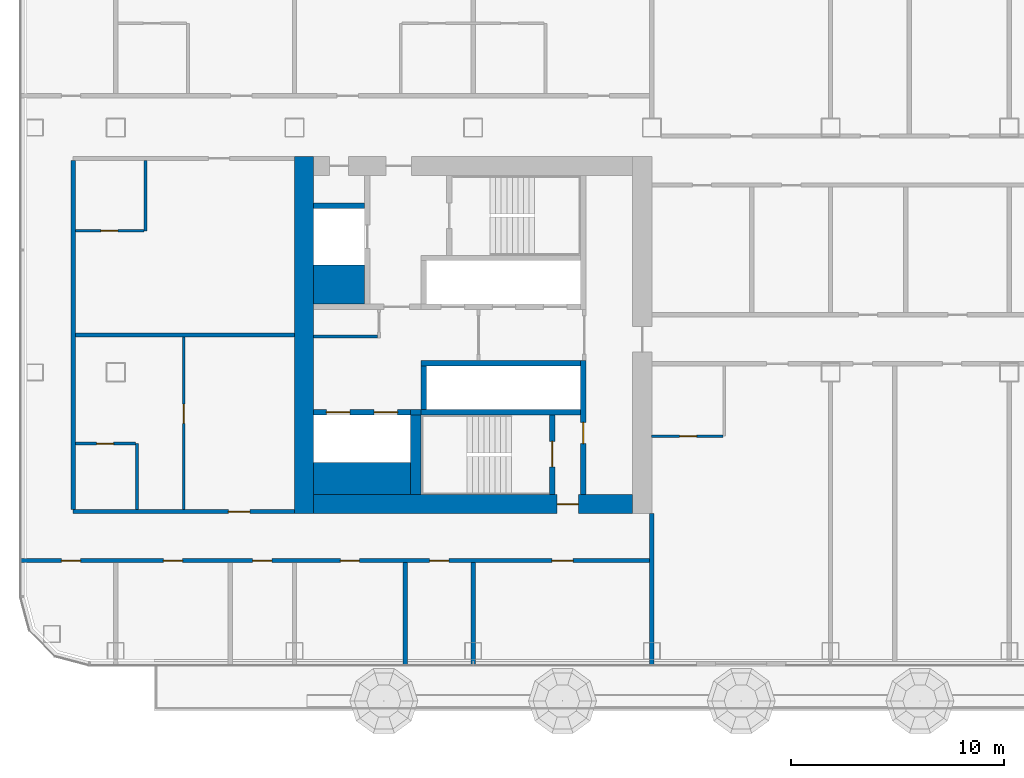
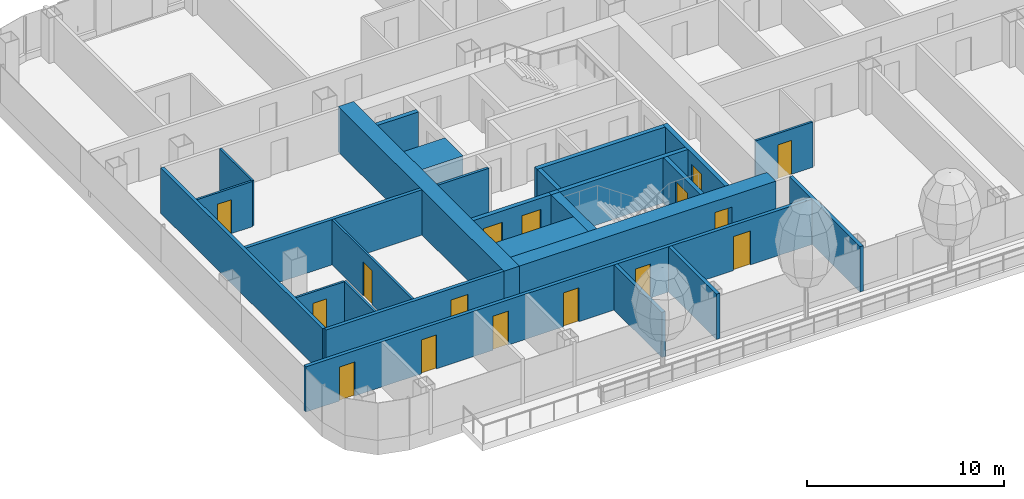
# One storey, part 13 of 34: 27 walls, 16 doors, 16 openings.
"""IFC4 building model written with IfcOpenShell, lengths in metres."""

from ifc_helpers import new_model, si_unit, direction, frame, frame_2d, origin, place, context, subcontext, project, spatial, rectangle, extrude, material, layer, layer_set, type_object, element, fill, save


model = new_model("IFC4")

# Units and contexts
model_context = context("Model", 3, precision=1e-05, world=origin(), true_north=direction((0.0, 1.0)))
body_context = subcontext(model_context, "Body", "Model", "MODEL_VIEW")
ifc_project = project(units=[si_unit("LENGTHUNIT", "METRE"), si_unit("AREAUNIT", "SQUARE_METRE"), si_unit("VOLUMEUNIT", "CUBIC_METRE"), si_unit("PLANEANGLEUNIT", "RADIAN"), si_unit("MASSUNIT", "GRAM", prefix="KILO")], contexts=[model_context])

# Site, building, storey
site_placement = place(None, origin())
site = spatial("IfcSite", under=ifc_project, at=site_placement, CompositionType="ELEMENT")
building_placement = place(site_placement, origin())
building = spatial("IfcBuilding", under=site, at=building_placement, Name="Hakoniwa Tower and Hamabe Station Hall", CompositionType="ELEMENT")
storey_placement = place(building_placement, frame((0.0, 0.0, 107.39990234375)))
storey = spatial("IfcBuildingStorey", under=building, at=storey_placement, Name="L30", CompositionType="ELEMENT", Elevation=107.39990234375)

# Wall, opening, door
ifc_material_1 = material(Name="Gypsum board partition", Category="gypsum")
ifc_layer_1 = layer(ifc_material_1, 0.125)
ifc_layer_set_1 = layer_set([ifc_layer_1], Name="Bathroom Partition 125")
wall_type_1 = type_object("IfcWallType", Name="Bathroom Partition 125", PredefinedType="PARTITIONING", material=ifc_layer_set_1)
wall_1_placement = place(storey_placement, frame((-43.89990234375, -5.10009765625, 0.0), z_axis=(0.0, 0.0, 1.0), x_axis=(1.0, 0.0, 0.0)))
wall_1 = element("IfcWall", 1, at=wall_1_placement, inside=storey, type_object=wall_type_1, Name="GW-L30-005", PredefinedType="PARTITIONING", context=body_context, shape_type="SweptSolid", body=[
    extrude(rectangle(XDim=2.83740234375, YDim=0.125, at=frame_2d((1.418701171875, 0.0))), origin(), (0.0, 0.0, 1.0), 2.800048828125),
])
opening_1_placement = place(wall_1_placement, frame((1.0, 0.0, 0.0)))
opening_1 = element("IfcOpeningElement", 2, at=opening_1_placement, cuts=wall_1, Name="Opening GD-G2A2-15", PredefinedType="OPENING", context=body_context, shape_type="SweptSolid", body=[
    extrude(rectangle(XDim=0.800048828125, YDim=2.10009765625, at=frame_2d((0.39990234375, 1.050048828125))), frame((0.0, 0.072509765625, 0.0), z_axis=(0.0, -1.0, 0.0), x_axis=(1.0, 0.0, 0.0)), (0.0, 0.0, 1.0), 0.14501953125),
])
ifc_material_2 = material(Name="Timber door leaf", Category="wood")
door_type_1 = type_object("IfcDoorType", Name="Bathroom Door 800", OperationType="SINGLE_SWING_LEFT", PredefinedType="DOOR", material=ifc_material_2)
door_1_placement = place(opening_1_placement, origin())
door_1 = element("IfcDoor", 3, at=door_1_placement, inside=storey, type_object=door_type_1, Name="Door GD-G2A2-15", OperationType="SINGLE_SWING_RIGHT", OverallHeight=2.10009765625, OverallWidth=0.800048828125, PredefinedType="DOOR", context=body_context, shape_type="SweptSolid", body=[
    extrude(rectangle(XDim=0.800048828125, YDim=2.10009765625, at=frame_2d((0.39990234375, 1.050048828125))), frame((0.0, 0.02490234375, 0.0), z_axis=(0.0, -1.0, 0.0), x_axis=(1.0, 0.0, 0.0)), (0.0, 0.0, 1.0), 0.050048828125),
])
fill(opening_1, door_1)

wall_2_placement = place(storey_placement, frame((-16.81005859375, -4.75, 0.0), z_axis=(0.0, 0.0, 1.0), x_axis=(1.0, 0.0, 0.0)))
wall_2 = element("IfcWall", 4, at=wall_2_placement, inside=storey, type_object=wall_type_1, Name="GW-L30-007", PredefinedType="PARTITIONING", context=body_context, shape_type="SweptSolid", body=[
    extrude(rectangle(XDim=3.34765625, YDim=0.125, at=frame_2d((1.673828125, 0.0))), origin(), (0.0, 0.0, 1.0), 2.800048828125),
])
opening_2_placement = place(wall_2_placement, frame((1.31005859375, 0.0, 0.0)))
opening_2 = element("IfcOpeningElement", 5, at=opening_2_placement, cuts=wall_2, Name="Opening GD-G2A2-17", PredefinedType="OPENING", context=body_context, shape_type="SweptSolid", body=[
    extrude(rectangle(XDim=0.800048828125, YDim=2.10009765625, at=frame_2d((0.39990234375, 1.050048828125))), frame((0.0, 0.072509765625, 0.0), z_axis=(0.0, -1.0, 0.0), x_axis=(1.0, 0.0, 0.0)), (0.0, 0.0, 1.0), 0.14501953125),
])
door_2_placement = place(opening_2_placement, origin())
door_2 = element("IfcDoor", 6, at=door_2_placement, inside=storey, type_object=door_type_1, Name="Door GD-G2A2-17", OperationType="SINGLE_SWING_LEFT", OverallHeight=2.10009765625, OverallWidth=0.800048828125, PredefinedType="DOOR", context=body_context, shape_type="SweptSolid", body=[
    extrude(rectangle(XDim=0.800048828125, YDim=2.10009765625, at=frame_2d((0.39990234375, 1.050048828125))), frame((0.0, 0.02490234375, 0.0), z_axis=(0.0, -1.0, 0.0), x_axis=(1.0, 0.0, 0.0)), (0.0, 0.0, 1.0), 0.050048828125),
])
fill(opening_2, door_2)

wall_3_placement = place(storey_placement, frame((-43.89990234375, 4.89990234375, 0.0), z_axis=(0.0, 0.0, 1.0), x_axis=(1.0, 0.0, 0.0)))
wall_3 = element("IfcWall", 7, at=wall_3_placement, inside=storey, type_object=wall_type_1, Name="GW-L30-013", PredefinedType="PARTITIONING", context=body_context, shape_type="SweptSolid", body=[
    extrude(rectangle(XDim=3.2373046875, YDim=0.125, at=frame_2d((1.61865234375, 0.0))), origin(), (0.0, 0.0, 1.0), 2.800048828125),
])
opening_3_placement = place(wall_3_placement, frame((1.199951171875, 0.0, 0.0)))
opening_3 = element("IfcOpeningElement", 8, at=opening_3_placement, cuts=wall_3, Name="Opening GD-G2A2-29", PredefinedType="OPENING", context=body_context, shape_type="SweptSolid", body=[
    extrude(rectangle(XDim=0.800048828125, YDim=2.10009765625, at=frame_2d((0.39990234375, 1.050048828125))), frame((0.0, 0.072509765625, 0.0), z_axis=(0.0, -1.0, 0.0), x_axis=(1.0, 0.0, 0.0)), (0.0, 0.0, 1.0), 0.14501953125),
])
door_3_placement = place(opening_3_placement, origin())
door_3 = element("IfcDoor", 9, at=door_3_placement, inside=storey, type_object=door_type_1, Name="Door GD-G2A2-29", OperationType="SINGLE_SWING_RIGHT", OverallHeight=2.10009765625, OverallWidth=0.800048828125, PredefinedType="DOOR", context=body_context, shape_type="SweptSolid", body=[
    extrude(rectangle(XDim=0.800048828125, YDim=2.10009765625, at=frame_2d((0.39990234375, 1.050048828125))), frame((0.0, 0.02490234375, 0.0), z_axis=(0.0, -1.0, 0.0), x_axis=(1.0, 0.0, 0.0)), (0.0, 0.0, 1.0), 0.050048828125),
])
fill(opening_3, door_3)

# Walls
wall_4_placement = place(storey_placement, frame((-41.0, -8.199951171875, 0.0), z_axis=(0.0, 0.0, 1.0), x_axis=(0.0, 1.0, 0.0)))
element("IfcWall", 10, at=wall_4_placement, inside=storey, type_object=wall_type_1, Name="GW-L30-028", PredefinedType="PARTITIONING", context=body_context, shape_type="SweptSolid", body=[
    extrude(rectangle(XDim=3.099853515625, YDim=0.125, at=frame_2d((1.5498046875, 0.0))), origin(), (0.0, 0.0, 1.0), 2.800048828125),
])
wall_5_placement = place(storey_placement, frame((-40.60009765625, 4.89990234375, 0.0), z_axis=(0.0, 0.0, 1.0), x_axis=(0.0, 1.0, 0.0)))
element("IfcWall", 11, at=wall_5_placement, inside=storey, type_object=wall_type_1, Name="GW-L30-029", PredefinedType="PARTITIONING", context=body_context, shape_type="SweptSolid", body=[
    extrude(rectangle(XDim=3.300048828125, YDim=0.125, at=frame_2d((1.64990234375, 0.0))), origin(), (0.0, 0.0, 1.0), 2.800048828125),
])
ifc_material_3 = material(Name="Gypsum board partition")
ifc_layer_2 = layer(ifc_material_3, 0.14990234375)
ifc_layer_set_2 = layer_set([ifc_layer_2], Name="CORE PARTITION 150 EI 60")
wall_type_2 = type_object("IfcWallType", Name="CORE PARTITION 150 EI 60", PredefinedType="PARTITIONING", material=ifc_layer_set_2)
wall_6_placement = place(storey_placement, frame((-32.699951171875, -0.074951171875, 0.0), z_axis=(0.0, 0.0, 1.0), x_axis=(1.0, 0.0, 0.0)))
element("IfcWall", 12, at=wall_6_placement, inside=storey, type_object=wall_type_2, Name="Core partition PS west", PredefinedType="PARTITIONING", context=body_context, shape_type="SweptSolid", body=[
    extrude(rectangle(XDim=3.0, YDim=0.14990234375, at=frame_2d((1.5, 0.0))), origin(), (0.0, 0.0, 1.0), 2.800048828125),
])
ifc_material_4 = material(Name="Concrete C72", Category="concrete")
ifc_layer_3 = layer(ifc_material_4, 0.89990234375)
ifc_layer_set_3 = layer_set([ifc_layer_3], Name="CORE WALL 900 C72")
wall_type_3 = type_object("IfcWallType", Name="CORE WALL 900 C72", PredefinedType="SHEAR", material=ifc_layer_set_3)
wall_7_placement = place(storey_placement, frame((-33.14990234375, -8.39990234375, 0.0), z_axis=(0.0, 0.0, 1.0), x_axis=(0.0, 1.0, 0.0)))
element("IfcWall", 13, at=wall_7_placement, inside=storey, type_object=wall_type_3, Name="Core wall OUTER west", PredefinedType="SHEAR", context=body_context, shape_type="SweptSolid", body=[
    extrude(rectangle(XDim=16.7998046875, YDim=0.89990234375, at=frame_2d((8.39990234375, 0.0))), origin(), (0.0, 0.0, 1.0), 2.800048828125),
])

# Wall, opening, door
wall_8_placement = place(storey_placement, frame((-32.699951171875, -7.949951171875, 0.0), z_axis=(0.0, 0.0, 1.0), x_axis=(1.0, 0.0, 0.0)))
wall_8 = element("IfcWall", 14, at=wall_8_placement, inside=storey, type_object=wall_type_3, Name="Core wall SOUTH west", PredefinedType="SHEAR", context=body_context, shape_type="SweptSolid", body=[
    extrude(rectangle(XDim=15.0, YDim=0.89990234375, at=frame_2d((7.5, 0.0))), origin(), (0.0, 0.0, 1.0), 2.800048828125),
])
opening_4_placement = place(wall_8_placement, frame((11.449951171875, 0.0, 0.0)))
opening_4 = element("IfcOpeningElement", 15, at=opening_4_placement, cuts=wall_8, Name="Opening CD-W-FS3-10", PredefinedType="OPENING", context=body_context, shape_type="SweptSolid", body=[
    extrude(rectangle(XDim=1.0, YDim=2.10009765625, at=frame_2d((0.5, 1.050048828125))), frame((0.0, 0.4599609375, 0.0), z_axis=(0.0, -1.0, 0.0), x_axis=(1.0, 0.0, 0.0)), (0.0, 0.0, 1.0), 0.919921875),
])
ifc_material_5 = material(Name="Steel fire door", Category="steel")
door_type_2 = type_object("IfcDoorType", Name="CORE DOOR 1000 FD60", OperationType="NOTDEFINED", PredefinedType="DOOR", material=ifc_material_5)
door_4_placement = place(opening_4_placement, origin())
door_4 = element("IfcDoor", 16, at=door_4_placement, inside=storey, type_object=door_type_2, Name="Stair vestibule door", OperationType="SINGLE_SWING_LEFT", OverallHeight=2.10009765625, OverallWidth=1.0, PredefinedType="DOOR", context=body_context, shape_type="SweptSolid", body=[
    extrude(rectangle(XDim=1.0, YDim=2.10009765625, at=frame_2d((0.5, 1.050048828125))), frame((0.0, 0.02490234375, 0.0), z_axis=(0.0, -1.0, 0.0), x_axis=(1.0, 0.0, 0.0)), (0.0, 0.0, 1.0), 0.050048828125),
])
fill(opening_4, door_4)

# Walls
ifc_material_6 = material(Name="Concrete C72", Category="concrete")
ifc_layer_4 = layer(ifc_material_6, 1.5)
ifc_layer_set_4 = layer_set([ifc_layer_4], Name="CORE WEB WALL 1500 C72")
wall_type_4 = type_object("IfcWallType", Name="CORE WEB WALL 1500 C72", PredefinedType="SHEAR", material=ifc_layer_set_4)
wall_9_placement = place(storey_placement, frame((-32.699951171875, -6.75, 0.0), z_axis=(0.0, 0.0, 1.0), x_axis=(1.0, 0.0, 0.0)))
element("IfcWall", 17, at=wall_9_placement, inside=storey, type_object=wall_type_4, Name="Core wall SER west", PredefinedType="SHEAR", context=body_context, shape_type="SweptSolid", body=[
    extrude(rectangle(XDim=4.550048828125, YDim=1.5, at=frame_2d((2.27490234375, 0.0))), origin(), (0.0, 0.0, 1.0), 2.800048828125),
])
ifc_material_7 = material(Name="Concrete C72", Category="concrete")
ifc_layer_5 = layer(ifc_material_7, 1.85009765625)
ifc_layer_set_5 = layer_set([ifc_layer_5], Name="CORE WEB WALL 1850 C72")
wall_type_5 = type_object("IfcWallType", Name="CORE WEB WALL 1850 C72", PredefinedType="SHEAR", material=ifc_layer_set_5)
wall_10_placement = place(storey_placement, frame((-32.699951171875, 2.375, 0.0), z_axis=(0.0, 0.0, 1.0), x_axis=(1.0, 0.0, 0.0)))
element("IfcWall", 18, at=wall_10_placement, inside=storey, type_object=wall_type_5, Name="Core wall CA west", PredefinedType="SHEAR", context=body_context, shape_type="SweptSolid", body=[
    extrude(rectangle(XDim=2.39990234375, YDim=1.85009765625, at=frame_2d((1.199951171875, 0.0))), origin(), (0.0, 0.0, 1.0), 2.800048828125),
])

# Wall, opening, door
ifc_material_8 = material(Name="Concrete C72", Category="concrete")
ifc_layer_6 = layer(ifc_material_8, 0.25)
ifc_layer_set_6 = layer_set([ifc_layer_6], Name="CORE WEB WALL 250 C72")
wall_type_6 = type_object("IfcWallType", Name="CORE WEB WALL 250 C72", PredefinedType="SHEAR", material=ifc_layer_set_6)
wall_11_placement = place(storey_placement, frame((-20.02490234375, -7.5, 0.0), z_axis=(0.0, 0.0, 1.0), x_axis=(0.0, 1.0, 0.0)))
wall_11 = element("IfcWall", 19, at=wall_11_placement, inside=storey, type_object=wall_type_6, Name="Core wall W1S west", PredefinedType="SHEAR", context=body_context, shape_type="SweptSolid", body=[
    extrude(rectangle(XDim=6.300048828125, YDim=0.25, at=frame_2d((3.14990234375, 0.0))), origin(), (0.0, 0.0, 1.0), 2.800048828125),
])
opening_5_placement = place(wall_11_placement, frame((2.39990234375, 0.0, 0.0)))
opening_5 = element("IfcOpeningElement", 20, at=opening_5_placement, cuts=wall_11, Name="Opening CD-W-VS-10", PredefinedType="OPENING", context=body_context, shape_type="SweptSolid", body=[
    extrude(rectangle(XDim=1.0, YDim=2.10009765625, at=frame_2d((0.5, 1.050048828125))), frame((0.0, 0.135009765625, 0.0), z_axis=(0.0, -1.0, 0.0), x_axis=(1.0, 0.0, 0.0)), (0.0, 0.0, 1.0), 0.27001953125),
])
door_5_placement = place(opening_5_placement, origin())
door_5 = element("IfcDoor", 21, at=door_5_placement, inside=storey, type_object=door_type_2, Name="Stair vestibule door", OperationType="SINGLE_SWING_LEFT", OverallHeight=2.10009765625, OverallWidth=1.0, PredefinedType="DOOR", context=body_context, shape_type="SweptSolid", body=[
    extrude(rectangle(XDim=1.0, YDim=2.10009765625, at=frame_2d((0.5, 1.050048828125))), frame((0.0, 0.02490234375, 0.0), z_axis=(0.0, -1.0, 0.0), x_axis=(1.0, 0.0, 0.0)), (0.0, 0.0, 1.0), 0.050048828125),
])
fill(opening_5, door_5)

# Walls
wall_12_placement = place(storey_placement, frame((-32.699951171875, 6.074951171875, 0.0), z_axis=(0.0, 0.0, 1.0), x_axis=(1.0, 0.0, 0.0)))
element("IfcWall", 22, at=wall_12_placement, inside=storey, type_object=wall_type_6, Name="Core wall C2 west", PredefinedType="SHEAR", context=body_context, shape_type="SweptSolid", body=[
    extrude(rectangle(XDim=2.39990234375, YDim=0.25, at=frame_2d((1.199951171875, 0.0))), origin(), (0.0, 0.0, 1.0), 2.800048828125),
])
wall_13_placement = place(storey_placement, frame((-27.64990234375, -1.324951171875, 0.0), z_axis=(0.0, 0.0, 1.0), x_axis=(1.0, 0.0, 0.0)))
element("IfcWall", 23, at=wall_13_placement, inside=storey, type_object=wall_type_6, Name="Core wall SF west", PredefinedType="SHEAR", context=body_context, shape_type="SweptSolid", body=[
    extrude(rectangle(XDim=7.5, YDim=0.25, at=frame_2d((3.75, 0.0))), origin(), (0.0, 0.0, 1.0), 2.800048828125),
])
wall_14_placement = place(storey_placement, frame((-27.52490234375, -3.5, 0.0), z_axis=(0.0, 0.0, 1.0), x_axis=(0.0, 1.0, 0.0)))
element("IfcWall", 24, at=wall_14_placement, inside=storey, type_object=wall_type_6, Name="Core wall SE west", PredefinedType="SHEAR", context=body_context, shape_type="SweptSolid", body=[
    extrude(rectangle(XDim=2.050048828125, YDim=0.25, at=frame_2d((1.02490234375, 0.0))), origin(), (0.0, 0.0, 1.0), 2.800048828125),
])
wall_15_placement = place(storey_placement, frame((-27.64990234375, -3.625, 0.0), z_axis=(0.0, 0.0, 1.0), x_axis=(1.0, 0.0, 0.0)))
element("IfcWall", 25, at=wall_15_placement, inside=storey, type_object=wall_type_6, Name="Core wall SR west", PredefinedType="SHEAR", context=body_context, shape_type="SweptSolid", body=[
    extrude(rectangle(XDim=7.5, YDim=0.25, at=frame_2d((3.75, 0.0))), origin(), (0.0, 0.0, 1.0), 2.800048828125),
])

# Wall, opening, door
wall_16_placement = place(storey_placement, frame((-21.47509765625, -7.5, 0.0), z_axis=(0.0, 0.0, 1.0), x_axis=(0.0, 1.0, 0.0)))
wall_16 = element("IfcWall", 26, at=wall_16_placement, inside=storey, type_object=wall_type_6, Name="Core wall VE west", PredefinedType="SHEAR", context=body_context, shape_type="SweptSolid", body=[
    extrude(rectangle(XDim=3.75, YDim=0.25, at=frame_2d((1.875, 0.0))), origin(), (0.0, 0.0, 1.0), 2.800048828125),
])
opening_6_placement = place(wall_16_placement, frame((1.300048828125, 0.0, 0.0)))
opening_6 = element("IfcOpeningElement", 27, at=opening_6_placement, cuts=wall_16, Name="Opening CD-W-SS-12", PredefinedType="OPENING", context=body_context, shape_type="SweptSolid", body=[
    extrude(rectangle(XDim=1.199951171875, YDim=2.10009765625, at=frame_2d((0.60009765625, 1.050048828125))), frame((0.0, 0.135009765625, 0.0), z_axis=(0.0, -1.0, 0.0), x_axis=(1.0, 0.0, 0.0)), (0.0, 0.0, 1.0), 0.27001953125),
])
ifc_material_9 = material(Name="Steel fire door", Category="steel")
door_type_3 = type_object("IfcDoorType", Name="CORE DOOR 1200 FD60", OperationType="DOUBLE_DOOR_SINGLE_SWING", PredefinedType="DOOR", material=ifc_material_9)
door_6_placement = place(opening_6_placement, origin())
door_6 = element("IfcDoor", 28, at=door_6_placement, inside=storey, type_object=door_type_3, Name="Escape stair door", OperationType="DOUBLE_DOOR_SINGLE_SWING", OverallHeight=2.10009765625, OverallWidth=1.199951171875, PredefinedType="DOOR", context=body_context, shape_type="SweptSolid", body=[
    extrude(rectangle(XDim=1.199951171875, YDim=2.10009765625, at=frame_2d((0.60009765625, 1.050048828125))), frame((0.0, 0.02490234375, 0.0), z_axis=(0.0, -1.0, 0.0), x_axis=(1.0, 0.0, 0.0)), (0.0, 0.0, 1.0), 0.050048828125),
])
fill(opening_6, door_6)

# Wall, openings, doors
wall_17_placement = place(storey_placement, frame((-32.699951171875, -3.625, 0.0), z_axis=(0.0, 0.0, 1.0), x_axis=(1.0, 0.0, 0.0)))
wall_17 = element("IfcWall", 29, at=wall_17_placement, inside=storey, type_object=wall_type_6, Name="Core wall SEF west", PredefinedType="SHEAR", context=body_context, shape_type="SweptSolid", body=[
    extrude(rectangle(XDim=4.550048828125, YDim=0.25, at=frame_2d((2.27490234375, 0.0))), origin(), (0.0, 0.0, 1.0), 2.800048828125),
])
opening_7_placement = place(wall_17_placement, frame((2.85009765625, 0.0, 0.0)))
opening_7 = element("IfcOpeningElement", 30, at=opening_7_placement, cuts=wall_17, Name="Opening LD-SV1", PredefinedType="OPENING", context=body_context, shape_type="SweptSolid", body=[
    extrude(rectangle(XDim=1.10009765625, YDim=2.10009765625, at=frame_2d((0.550048828125, 1.050048828125))), frame((0.0, 0.135009765625, 0.0), z_axis=(0.0, -1.0, 0.0), x_axis=(1.0, 0.0, 0.0)), (0.0, 0.0, 1.0), 0.27001953125),
])
opening_8_placement = place(wall_17_placement, frame((0.60009765625, 0.0, 0.0)))
opening_8 = element("IfcOpeningElement", 31, at=opening_8_placement, cuts=wall_17, Name="Opening LD-SV2", PredefinedType="OPENING", context=body_context, shape_type="SweptSolid", body=[
    extrude(rectangle(XDim=1.10009765625, YDim=2.10009765625, at=frame_2d((0.550048828125, 1.050048828125))), frame((0.0, 0.135009765625, 0.0), z_axis=(0.0, -1.0, 0.0), x_axis=(1.0, 0.0, 0.0)), (0.0, 0.0, 1.0), 0.27001953125),
])
ifc_material_10 = material(Name="Stainless steel SUS304", Category="steel")
door_type_4 = type_object("IfcDoorType", Name="LIFT LANDING DOOR 1100 FD60", OperationType="DOUBLE_DOOR_SLIDING", PredefinedType="DOOR", material=ifc_material_10)
door_7_placement = place(opening_7_placement, origin())
door_7 = element("IfcDoor", 32, at=door_7_placement, inside=storey, type_object=door_type_4, Name="Lift landing door SV1 L30", OperationType="DOUBLE_DOOR_SLIDING", OverallHeight=2.10009765625, OverallWidth=1.10009765625, PredefinedType="DOOR", context=body_context, shape_type="SweptSolid", body=[
    extrude(rectangle(XDim=1.10009765625, YDim=2.10009765625, at=frame_2d((0.550048828125, 1.050048828125))), frame((0.0, 0.02490234375, 0.0), z_axis=(0.0, -1.0, 0.0), x_axis=(1.0, 0.0, 0.0)), (0.0, 0.0, 1.0), 0.050048828125),
])
fill(opening_7, door_7)
door_8_placement = place(opening_8_placement, origin())
door_8 = element("IfcDoor", 33, at=door_8_placement, inside=storey, type_object=door_type_4, Name="Lift landing door SV2 L30", OperationType="DOUBLE_DOOR_SLIDING", OverallHeight=2.10009765625, OverallWidth=1.10009765625, PredefinedType="DOOR", context=body_context, shape_type="SweptSolid", body=[
    extrude(rectangle(XDim=1.10009765625, YDim=2.10009765625, at=frame_2d((0.550048828125, 1.050048828125))), frame((0.0, 0.02490234375, 0.0), z_axis=(0.0, -1.0, 0.0), x_axis=(1.0, 0.0, 0.0)), (0.0, 0.0, 1.0), 0.050048828125),
])
fill(opening_8, door_8)

# Walls
wall_18_placement = place(storey_placement, frame((-28.14990234375, -3.625, 0.0), z_axis=(0.0, 0.0, 1.0), x_axis=(1.0, 0.0, 0.0)))
element("IfcWall", 34, at=wall_18_placement, inside=storey, type_object=wall_type_6, Name="Core wall SRK west", PredefinedType="SHEAR", context=body_context, shape_type="SweptSolid", body=[
    extrude(rectangle(XDim=0.5, YDim=0.25, at=frame_2d((0.25, 0.0))), origin(), (0.0, 0.0, 1.0), 2.800048828125),
])
ifc_material_11 = material(Name="Concrete C72", Category="concrete")
ifc_layer_7 = layer(ifc_material_11, 0.5)
ifc_layer_set_7 = layer_set([ifc_layer_7], Name="CORE WEB WALL 500 C72")
wall_type_7 = type_object("IfcWallType", Name="CORE WEB WALL 500 C72", PredefinedType="SHEAR", material=ifc_layer_set_7)
wall_19_placement = place(storey_placement, frame((-27.89990234375, -7.5, 0.0), z_axis=(0.0, 0.0, 1.0), x_axis=(0.0, 1.0, 0.0)))
element("IfcWall", 35, at=wall_19_placement, inside=storey, type_object=wall_type_7, Name="Core wall SSE west", PredefinedType="SHEAR", context=body_context, shape_type="SweptSolid", body=[
    extrude(rectangle(XDim=3.75, YDim=0.5, at=frame_2d((1.875, 0.0))), origin(), (0.0, 0.0, 1.0), 2.800048828125),
])

# Wall, openings, doors
ifc_material_12 = material(Name="Fire-rated gypsum board partition", Category="gypsum")
ifc_layer_8 = layer(ifc_material_12, 0.199951171875)
ifc_layer_set_8 = layer_set([ifc_layer_8], Name="Corridor Wall 200")
wall_type_8 = type_object("IfcWallType", Name="Corridor Wall 200", PredefinedType="PARTITIONING", material=ifc_layer_set_8)
wall_20_placement = place(storey_placement, frame((-46.5, -10.60009765625, 0.0), z_axis=(0.0, 0.0, 1.0), x_axis=(1.0, 0.0, 0.0)))
wall_20 = element("IfcWall", 36, at=wall_20_placement, inside=storey, type_object=wall_type_8, Name="GW-L30-001", PredefinedType="PARTITIONING", context=body_context, shape_type="SweptSolid", body=[
    extrude(rectangle(XDim=29.699951171875, YDim=0.199951171875, at=frame_2d((14.85009765625, 0.0))), origin(), (0.0, 0.0, 1.0), 2.800048828125),
])
opening_9_placement = place(wall_20_placement, frame((1.949951171875, 0.0, 0.0)))
opening_9 = element("IfcOpeningElement", 37, at=opening_9_placement, cuts=wall_20, Name="Opening GD-G2A2-01", PredefinedType="OPENING", context=body_context, shape_type="SweptSolid", body=[
    extrude(rectangle(XDim=0.89990234375, YDim=2.10009765625, at=frame_2d((0.449951171875, 1.050048828125))), frame((0.0, 0.10986328125, 0.0), z_axis=(0.0, -1.0, 0.0), x_axis=(1.0, 0.0, 0.0)), (0.0, 0.0, 1.0), 0.219970703125),
])
opening_10_placement = place(wall_20_placement, frame((6.739990234375, 0.0, 0.0)))
opening_10 = element("IfcOpeningElement", 38, at=opening_10_placement, cuts=wall_20, Name="Opening GD-G2A2-02", PredefinedType="OPENING", context=body_context, shape_type="SweptSolid", body=[
    extrude(rectangle(XDim=0.89990234375, YDim=2.10009765625, at=frame_2d((0.449951171875, 1.050048828125))), frame((0.0, 0.10986328125, 0.0), z_axis=(0.0, -1.0, 0.0), x_axis=(1.0, 0.0, 0.0)), (0.0, 0.0, 1.0), 0.219970703125),
])
opening_11_placement = place(wall_20_placement, frame((10.93994140625, 0.0, 0.0)))
opening_11 = element("IfcOpeningElement", 39, at=opening_11_placement, cuts=wall_20, Name="Opening GD-G2A2-03", PredefinedType="OPENING", context=body_context, shape_type="SweptSolid", body=[
    extrude(rectangle(XDim=0.89990234375, YDim=2.10009765625, at=frame_2d((0.449951171875, 1.050048828125))), frame((0.0, 0.10986328125, 0.0), z_axis=(0.0, -1.0, 0.0), x_axis=(1.0, 0.0, 0.0)), (0.0, 0.0, 1.0), 0.219970703125),
])
opening_12_placement = place(wall_20_placement, frame((15.054931640625, 0.0, 0.0)))
opening_12 = element("IfcOpeningElement", 40, at=opening_12_placement, cuts=wall_20, Name="Opening GD-G2A2-04", PredefinedType="OPENING", context=body_context, shape_type="SweptSolid", body=[
    extrude(rectangle(XDim=0.89990234375, YDim=2.10009765625, at=frame_2d((0.449951171875, 1.050048828125))), frame((0.0, 0.10986328125, 0.0), z_axis=(0.0, -1.0, 0.0), x_axis=(1.0, 0.0, 0.0)), (0.0, 0.0, 1.0), 0.219970703125),
])
opening_13_placement = place(wall_20_placement, frame((19.2548828125, 0.0, 0.0)))
opening_13 = element("IfcOpeningElement", 41, at=opening_13_placement, cuts=wall_20, Name="Opening GD-G2A2-05", PredefinedType="OPENING", context=body_context, shape_type="SweptSolid", body=[
    extrude(rectangle(XDim=0.89990234375, YDim=2.10009765625, at=frame_2d((0.449951171875, 1.050048828125))), frame((0.0, 0.10986328125, 0.0), z_axis=(0.0, -1.0, 0.0), x_axis=(1.0, 0.0, 0.0)), (0.0, 0.0, 1.0), 0.219970703125),
])
opening_14_placement = place(wall_20_placement, frame((25.0, 0.0, 0.0)))
opening_14 = element("IfcOpeningElement", 42, at=opening_14_placement, cuts=wall_20, Name="Opening GD-G2A2-06", PredefinedType="OPENING", context=body_context, shape_type="SweptSolid", body=[
    extrude(rectangle(XDim=1.0, YDim=2.10009765625, at=frame_2d((0.5, 1.050048828125))), frame((0.0, 0.10986328125, 0.0), z_axis=(0.0, -1.0, 0.0), x_axis=(1.0, 0.0, 0.0)), (0.0, 0.0, 1.0), 0.219970703125),
])
ifc_material_13 = material(Name="Timber door leaf", Category="wood")
door_type_5 = type_object("IfcDoorType", Name="Guest Entrance Door 1000", OperationType="SINGLE_SWING_LEFT", PredefinedType="DOOR", material=ifc_material_13)
door_9_placement = place(opening_14_placement, origin())
door_9 = element("IfcDoor", 43, at=door_9_placement, inside=storey, type_object=door_type_5, Name="Door GD-G2A2-06", OperationType="SINGLE_SWING_RIGHT", OverallHeight=2.10009765625, OverallWidth=1.0, PredefinedType="DOOR", context=body_context, shape_type="SweptSolid", body=[
    extrude(rectangle(XDim=1.0, YDim=2.10009765625, at=frame_2d((0.5, 1.050048828125))), frame((0.0, 0.02490234375, 0.0), z_axis=(0.0, -1.0, 0.0), x_axis=(1.0, 0.0, 0.0)), (0.0, 0.0, 1.0), 0.050048828125),
])
fill(opening_14, door_9)
ifc_material_14 = material(Name="Timber door leaf", Category="wood")
door_type_6 = type_object("IfcDoorType", Name="Service Door 900", OperationType="SINGLE_SWING_LEFT", PredefinedType="DOOR", material=ifc_material_14)
door_10_placement = place(opening_9_placement, origin())
door_10 = element("IfcDoor", 44, at=door_10_placement, inside=storey, type_object=door_type_6, Name="Door GD-G2A2-01", OperationType="SINGLE_SWING_RIGHT", OverallHeight=2.10009765625, OverallWidth=0.89990234375, PredefinedType="DOOR", context=body_context, shape_type="SweptSolid", body=[
    extrude(rectangle(XDim=0.89990234375, YDim=2.10009765625, at=frame_2d((0.449951171875, 1.050048828125))), frame((0.0, 0.02490234375, 0.0), z_axis=(0.0, -1.0, 0.0), x_axis=(1.0, 0.0, 0.0)), (0.0, 0.0, 1.0), 0.050048828125),
])
fill(opening_9, door_10)
door_11_placement = place(opening_10_placement, origin())
door_11 = element("IfcDoor", 45, at=door_11_placement, inside=storey, type_object=door_type_6, Name="Door GD-G2A2-02", OperationType="SINGLE_SWING_RIGHT", OverallHeight=2.10009765625, OverallWidth=0.89990234375, PredefinedType="DOOR", context=body_context, shape_type="SweptSolid", body=[
    extrude(rectangle(XDim=0.89990234375, YDim=2.10009765625, at=frame_2d((0.449951171875, 1.050048828125))), frame((0.0, 0.02490234375, 0.0), z_axis=(0.0, -1.0, 0.0), x_axis=(1.0, 0.0, 0.0)), (0.0, 0.0, 1.0), 0.050048828125),
])
fill(opening_10, door_11)
door_12_placement = place(opening_11_placement, origin())
door_12 = element("IfcDoor", 46, at=door_12_placement, inside=storey, type_object=door_type_6, Name="Door GD-G2A2-03", OperationType="SINGLE_SWING_LEFT", OverallHeight=2.10009765625, OverallWidth=0.89990234375, PredefinedType="DOOR", context=body_context, shape_type="SweptSolid", body=[
    extrude(rectangle(XDim=0.89990234375, YDim=2.10009765625, at=frame_2d((0.449951171875, 1.050048828125))), frame((0.0, 0.02490234375, 0.0), z_axis=(0.0, -1.0, 0.0), x_axis=(1.0, 0.0, 0.0)), (0.0, 0.0, 1.0), 0.050048828125),
])
fill(opening_11, door_12)
door_13_placement = place(opening_12_placement, origin())
door_13 = element("IfcDoor", 47, at=door_13_placement, inside=storey, type_object=door_type_6, Name="Door GD-G2A2-04", OperationType="SINGLE_SWING_RIGHT", OverallHeight=2.10009765625, OverallWidth=0.89990234375, PredefinedType="DOOR", context=body_context, shape_type="SweptSolid", body=[
    extrude(rectangle(XDim=0.89990234375, YDim=2.10009765625, at=frame_2d((0.449951171875, 1.050048828125))), frame((0.0, 0.02490234375, 0.0), z_axis=(0.0, -1.0, 0.0), x_axis=(1.0, 0.0, 0.0)), (0.0, 0.0, 1.0), 0.050048828125),
])
fill(opening_12, door_13)
door_14_placement = place(opening_13_placement, origin())
door_14 = element("IfcDoor", 48, at=door_14_placement, inside=storey, type_object=door_type_6, Name="Door GD-G2A2-05", OperationType="SINGLE_SWING_LEFT", OverallHeight=2.10009765625, OverallWidth=0.89990234375, PredefinedType="DOOR", context=body_context, shape_type="SweptSolid", body=[
    extrude(rectangle(XDim=0.89990234375, YDim=2.10009765625, at=frame_2d((0.449951171875, 1.050048828125))), frame((0.0, 0.02490234375, 0.0), z_axis=(0.0, -1.0, 0.0), x_axis=(1.0, 0.0, 0.0)), (0.0, 0.0, 1.0), 0.050048828125),
])
fill(opening_13, door_14)

# Wall, opening, door
wall_21_placement = place(storey_placement, frame((-44.0, -8.300048828125, 0.0), z_axis=(0.0, 0.0, 1.0), x_axis=(1.0, 0.0, 0.0)))
wall_21 = element("IfcWall", 49, at=wall_21_placement, inside=storey, type_object=wall_type_8, Name="GW-L30-003", PredefinedType="PARTITIONING", context=body_context, shape_type="SweptSolid", body=[
    extrude(rectangle(XDim=10.39990234375, YDim=0.199951171875, at=frame_2d((5.199951171875, 0.0))), origin(), (0.0, 0.0, 1.0), 2.800048828125),
])
opening_15_placement = place(wall_21_placement, frame((7.300048828125, 0.0, 0.0)))
opening_15 = element("IfcOpeningElement", 50, at=opening_15_placement, cuts=wall_21, Name="Opening GD-G2A2-13", PredefinedType="OPENING", context=body_context, shape_type="SweptSolid", body=[
    extrude(rectangle(XDim=1.0, YDim=2.10009765625, at=frame_2d((0.5, 1.050048828125))), frame((0.0, 0.10986328125, 0.0), z_axis=(0.0, -1.0, 0.0), x_axis=(1.0, 0.0, 0.0)), (0.0, 0.0, 1.0), 0.219970703125),
])
door_15_placement = place(opening_15_placement, origin())
door_15 = element("IfcDoor", 51, at=door_15_placement, inside=storey, type_object=door_type_5, Name="Door GD-G2A2-13", OperationType="SINGLE_SWING_RIGHT", OverallHeight=2.10009765625, OverallWidth=1.0, PredefinedType="DOOR", context=body_context, shape_type="SweptSolid", body=[
    extrude(rectangle(XDim=1.0, YDim=2.10009765625, at=frame_2d((0.5, 1.050048828125))), frame((0.0, 0.02490234375, 0.0), z_axis=(0.0, -1.0, 0.0), x_axis=(1.0, 0.0, 0.0)), (0.0, 0.0, 1.0), 0.050048828125),
])
fill(opening_15, door_15)

# Walls
ifc_material_15 = material(Name="Fire-rated gypsum board partition", Category="gypsum")
ifc_layer_9 = layer(ifc_material_15, 0.199951171875)
ifc_layer_set_9 = layer_set([ifc_layer_9], Name="Party Wall 200")
wall_type_9 = type_object("IfcWallType", Name="Party Wall 200", PredefinedType="PARTITIONING", material=ifc_layer_set_9)
wall_22_placement = place(storey_placement, frame((-43.89990234375, 0.0, 0.0), z_axis=(0.0, 0.0, 1.0), x_axis=(1.0, 0.0, 0.0)))
element("IfcWall", 52, at=wall_22_placement, inside=storey, type_object=wall_type_9, Name="GW-L30-010", PredefinedType="PARTITIONING", context=body_context, shape_type="SweptSolid", body=[
    extrude(rectangle(XDim=10.2998046875, YDim=0.199951171875, at=frame_2d((5.14990234375, 0.0))), origin(), (0.0, 0.0, 1.0), 2.800048828125),
])
wall_23_placement = place(storey_placement, frame((-44.0, -8.199951171875, 0.0), z_axis=(0.0, 0.0, 1.0), x_axis=(0.0, 1.0, 0.0)))
element("IfcWall", 53, at=wall_23_placement, inside=storey, type_object=wall_type_9, Name="GW-L30-025", PredefinedType="PARTITIONING", context=body_context, shape_type="SweptSolid", body=[
    extrude(rectangle(XDim=16.39990234375, YDim=0.199951171875, at=frame_2d((8.199951171875, 0.0))), origin(), (0.0, 0.0, 1.0), 2.800048828125),
])
for number, where, z_axis, x_axis, name in (
    (54, (-28.389892578125, -15.550048828125, 0.0), (0.0, 0.0, 1.0), (0.0, 1.0, 0.0), "GW-L30-036"),
    (55, (-25.199951171875, -15.550048828125, 0.0), (0.0, 0.0, 1.0), (0.0, 1.0, 0.0), "GW-L30-037"),
):
    element("IfcWall", number, at=place(storey_placement, frame(where, z_axis=z_axis, x_axis=x_axis)), inside=storey, type_object=wall_type_9, Name=name, PredefinedType="PARTITIONING", context=body_context, shape_type="SweptSolid", body=[
        extrude(rectangle(XDim=4.85009765625, YDim=0.199951171875, at=frame_2d((2.425048828125, 0.0))), origin(), (0.0, 0.0, 1.0), 2.800048828125),
    ])
wall_24_placement = place(storey_placement, frame((-16.800048828125, -15.550048828125, 0.0), z_axis=(0.0, 0.0, 1.0), x_axis=(0.0, 1.0, 0.0)))
element("IfcWall", 56, at=wall_24_placement, inside=storey, type_object=wall_type_9, Name="GW-L30-040", PredefinedType="PARTITIONING", context=body_context, shape_type="SweptSolid", body=[
    extrude(rectangle(XDim=7.16015625, YDim=0.199951171875, at=frame_2d((3.580078125, 0.0))), origin(), (0.0, 0.0, 1.0), 2.800048828125),
])

# Wall, opening, door
ifc_material_16 = material(Name="Gypsum board partition", Category="gypsum")
ifc_layer_10 = layer(ifc_material_16, 0.125)
ifc_layer_set_10 = layer_set([ifc_layer_10], Name="Room Partition 125")
wall_type_10 = type_object("IfcWallType", Name="Room Partition 125", PredefinedType="PARTITIONING", material=ifc_layer_set_10)
wall_25_placement = place(storey_placement, frame((-38.800048828125, -8.199951171875, 0.0), z_axis=(0.0, 0.0, 1.0), x_axis=(0.0, 1.0, 0.0)))
wall_25 = element("IfcWall", 57, at=wall_25_placement, inside=storey, type_object=wall_type_10, Name="GW-L30-030", PredefinedType="PARTITIONING", context=body_context, shape_type="SweptSolid", body=[
    extrude(rectangle(XDim=8.099853515625, YDim=0.125, at=frame_2d((4.0498046875, 0.0))), origin(), (0.0, 0.0, 1.0), 2.800048828125),
])
opening_16_placement = place(wall_25_placement, frame((4.050048828125, 0.0, 0.0)))
opening_16 = element("IfcOpeningElement", 58, at=opening_16_placement, cuts=wall_25, Name="Opening GD-G2A2-58", PredefinedType="OPENING", context=body_context, shape_type="SweptSolid", body=[
    extrude(rectangle(XDim=0.89990234375, YDim=2.10009765625, at=frame_2d((0.449951171875, 1.050048828125))), frame((0.0, 0.072509765625, 0.0), z_axis=(0.0, -1.0, 0.0), x_axis=(1.0, 0.0, 0.0)), (0.0, 0.0, 1.0), 0.14501953125),
])
ifc_material_17 = material(Name="Timber door leaf", Category="wood")
door_type_7 = type_object("IfcDoorType", Name="Suite Interior Door 900", OperationType="SINGLE_SWING_LEFT", PredefinedType="DOOR", material=ifc_material_17)
door_16_placement = place(opening_16_placement, origin())
door_16 = element("IfcDoor", 59, at=door_16_placement, inside=storey, type_object=door_type_7, Name="Door GD-G2A2-58", OperationType="SINGLE_SWING_RIGHT", OverallHeight=2.10009765625, OverallWidth=0.89990234375, PredefinedType="DOOR", context=body_context, shape_type="SweptSolid", body=[
    extrude(rectangle(XDim=0.89990234375, YDim=2.10009765625, at=frame_2d((0.449951171875, 1.050048828125))), frame((0.0, 0.02490234375, 0.0), z_axis=(0.0, -1.0, 0.0), x_axis=(1.0, 0.0, 0.0)), (0.0, 0.0, 1.0), 0.050048828125),
])
fill(opening_16, door_16)

save(model, "model.ifc")
